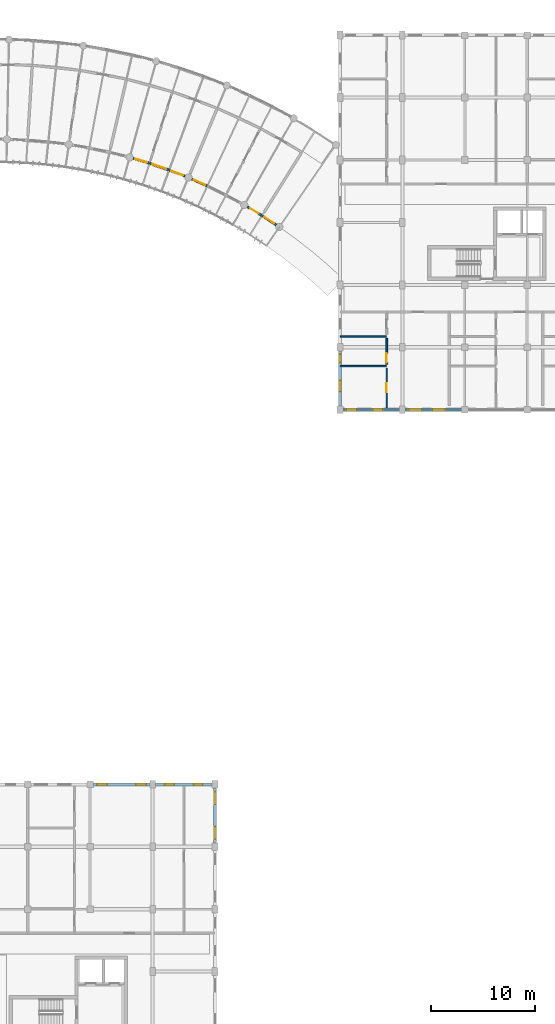
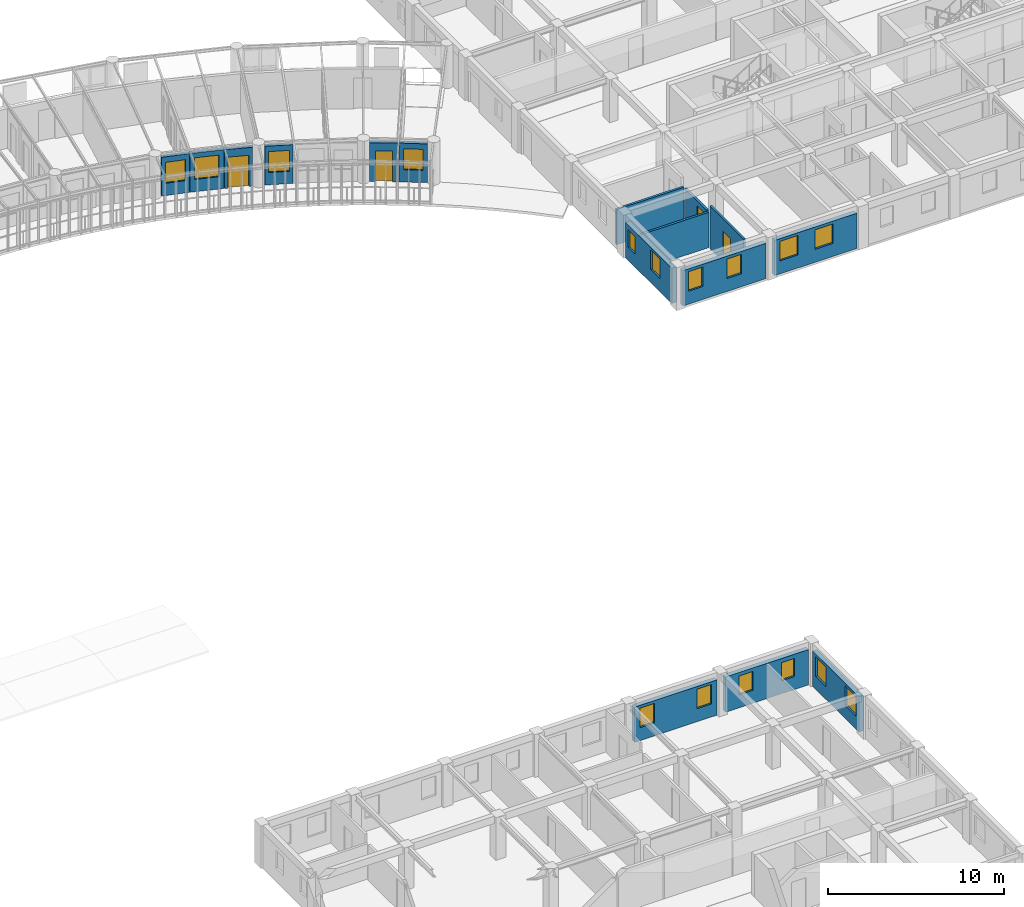
# One storey, part 76 of 100: 16 walls, 16 windows, 4 doors, 20 openings.
"""IFC4 building model written with IfcOpenShell, lengths in metres."""

import ifcopenshell
import ifcopenshell.guid

model = None  # the IFC model being written
_history = None  # IfcOwnerHistory: only IFC2X3 demands one
_inside = {}  # id of a spatial element -> (the spatial element, [elements in it])
_under = {}  # id of a project, library or spatial element -> (it, [spatial elements below it])
_declared = {}  # id of a project -> (the project, [libraries it declares])
_typed = {}  # id of a type object -> (the type object, [elements of that type])
_made_of = {}  # id of a material, layer set ... -> (it, [elements and type objects made of it])


def new_model(schema):
    """Start an empty IFC model of exactly this schema.

    Asked for "IFC4X3", IfcOpenShell would pick the latest addendum, in which some entities
    have other attributes; the version numbers below select the first issue.
    IFC2X3 requires an IfcOwnerHistory on every rooted entity: one is made here for all.
    """
    global model, _history
    if schema == "IFC4X3":
        model = ifcopenshell.file(schema_version=(4, 3, 0, 0))
    else:
        model = ifcopenshell.file(schema=schema)
    _inside.clear()
    _under.clear()
    _declared.clear()
    _typed.clear()
    _made_of.clear()
    _history = None
    if model.schema == "IFC2X3":
        org = make("IfcOrganization", Name="unknown")
        user = make(
            "IfcPersonAndOrganization",
            ThePerson=make("IfcPerson", FamilyName="unknown"),
            TheOrganization=org,
        )
        app = make(
            "IfcApplication",
            ApplicationDeveloper=org,
            Version="unknown",
            ApplicationFullName="unknown",
            ApplicationIdentifier="unknown",
        )
        _history = make(
            "IfcOwnerHistory",
            OwningUser=user,
            OwningApplication=app,
            ChangeAction="ADDED",
            CreationDate=0,
        )
    return model


def make(cls, **values):
    """One entity of the class cls with the attributes given. An attribute that is None is left unset."""
    return model.create_entity(
        cls, **{name: value for name, value in values.items() if value is not None}
    )


def rooted(cls, **values):
    """An entity with a GlobalId (a new one), such as an element, a storey or a relation."""
    return make(cls, GlobalId=ifcopenshell.guid.new(), OwnerHistory=_history, **values)


def si_unit(unit_type, name, prefix=None):
    """IfcSIUnit, for example si_unit("LENGTHUNIT", "METRE", prefix="MILLI")."""
    return make("IfcSIUnit", UnitType=unit_type, Prefix=prefix, Name=name)


def assignment(units):
    """IfcUnitAssignment: the units of a project."""
    return None if units is None else make("IfcUnitAssignment", Units=units)


def point(xyz):
    """IfcCartesianPoint."""
    return None if xyz is None else make("IfcCartesianPoint", Coordinates=xyz)


def direction(xyz):
    """IfcDirection."""
    return None if xyz is None else make("IfcDirection", DirectionRatios=xyz)


def frame(location, z_axis=None, x_axis=None):
    """IfcAxis2Placement3D, a coordinate frame: its origin and axes. An axis left out is left unset."""
    return make(
        "IfcAxis2Placement3D",
        Location=point(location),
        Axis=direction(z_axis),
        RefDirection=direction(x_axis),
    )


def frame_2d(location, x_axis=None):
    """IfcAxis2Placement2D, a coordinate frame in the plane: its origin and x axis."""
    return make(
        "IfcAxis2Placement2D", Location=point(location), RefDirection=direction(x_axis)
    )


def origin():
    """The frame at (0, 0, 0) with its axes left unset."""
    return frame((0.0, 0.0, 0.0))


def place(relative_to, where):
    """IfcLocalPlacement: puts the frame where relative to a parent placement (None: the world)."""
    return make(
        "IfcLocalPlacement", PlacementRelTo=relative_to, RelativePlacement=where
    )


def context(
    kind, dimensions, precision=None, world=None, true_north=None, identifier=None
):
    """IfcGeometricRepresentationContext, for example the 3D "Model" context."""
    return make(
        "IfcGeometricRepresentationContext",
        ContextIdentifier=identifier,
        ContextType=kind,
        CoordinateSpaceDimension=dimensions,
        Precision=precision,
        WorldCoordinateSystem=world,
        TrueNorth=true_north,
    )


def subcontext(parent, identifier, kind, view, scale=None):
    """IfcGeometricRepresentationSubContext, for example "Body" below "Model"."""
    return make(
        "IfcGeometricRepresentationSubContext",
        ContextIdentifier=identifier,
        ContextType=kind,
        ParentContext=parent,
        TargetScale=scale,
        TargetView=view,
    )


def project(units=None, contexts=None):
    """IfcProject with its units and contexts."""
    return rooted(
        "IfcProject",
        Name="project",
        RepresentationContexts=contexts,
        UnitsInContext=assignment(units),
    )


def spatial(cls, under=None, at=None, **own):
    """A site, building, storey or space (cls), placed at a placement, below another one or the project."""
    s = rooted(cls, ObjectPlacement=at, **own)
    if under is not None:
        _under.setdefault(under.id(), (under, []))[1].append(s)
    return s


def profile(cls, at=None, kind="AREA", **sizes):
    """A parametric profile (cls). Its sizes go by their IFC names, for example OverallWidth=200.0."""
    return make(cls, ProfileType=kind, Position=at, **sizes)


def rectangle(**sizes):
    """IfcRectangleProfileDef."""
    return profile("IfcRectangleProfileDef", **sizes)


def extrude(swept, where, along, depth):
    """IfcExtrudedAreaSolid: the profile swept, set in the frame where, extruded along a direction by depth."""
    return make(
        "IfcExtrudedAreaSolid",
        SweptArea=swept,
        Position=where,
        ExtrudedDirection=direction(along),
        Depth=depth,
    )


def shape(context_of_items, identifier, shape_type, items):
    """IfcShapeRepresentation: the items that make up one representation, for example the "Body"."""
    return make(
        "IfcShapeRepresentation",
        ContextOfItems=context_of_items,
        RepresentationIdentifier=identifier,
        RepresentationType=shape_type,
        Items=items,
    )


def material(Name=None, Category=None):
    """IfcMaterial."""
    return make("IfcMaterial", Name=Name, Category=Category)


def layer(
    of_material, thickness, ventilated=None, Name=None, Category=None, Priority=None
):
    """IfcMaterialLayer: one layer of a wall or slab, of a material (None: an air gap)."""
    return make(
        "IfcMaterialLayer",
        Material=of_material,
        LayerThickness=thickness,
        IsVentilated=ventilated,
        Name=Name,
        Category=Category,
        Priority=Priority,
    )


def layer_set(layers, Name=None):
    """IfcMaterialLayerSet."""
    return make("IfcMaterialLayerSet", MaterialLayers=layers, LayerSetName=Name)


def made_of(thing, what):
    """Note that an element or type object is made of a material, layer set ...; save() writes the relation."""
    if what is not None:
        _made_of.setdefault(what.id(), (what, []))[1].append(thing)
    return thing


def type_object(cls, material=None, **own):
    """A type object (cls), such as IfcWallType, which elements share."""
    return made_of(rooted(cls, **own), material)


def element(
    cls,
    number,
    at=None,
    inside=None,
    cuts=None,
    type_object=None,
    material=None,
    context=None,
    identifier="Body",
    shape_type=None,
    held_by="IfcProductDefinitionShape",
    body=None,
    shapes=None,
    **own,
):
    """One element of the class cls, such as IfcWall. Its Tag is "e" and its number.

    at: its placement. inside: the storey or other place that contains it. cuts: it is an
    opening in that element (IfcRelVoidsElement). A single representation is given by context,
    identifier, shape_type and body (its items); several are given by shapes. held_by: the class
    of the entity that holds the representations. save() writes the other relations.
    """
    e = rooted(cls, Tag="e%d" % number, ObjectPlacement=at, **own)
    if body is not None:
        shapes = [shape(context, identifier, shape_type, body)]
    if shapes is not None:
        e.Representation = make(held_by, Representations=shapes)
    if inside is not None:
        _inside.setdefault(inside.id(), (inside, []))[1].append(e)
    if cuts is not None:
        rooted(
            "IfcRelVoidsElement", RelatingBuildingElement=cuts, RelatedOpeningElement=e
        )
    if type_object is not None:
        _typed.setdefault(type_object.id(), (type_object, []))[1].append(e)
    return made_of(e, material)


def fill(opening, filler):
    """IfcRelFillsElement: the door or window that sits in an opening."""
    return rooted(
        "IfcRelFillsElement",
        RelatingOpeningElement=opening,
        RelatedBuildingElement=filler,
    )


def aggregate(whole, parts):
    """IfcRelAggregates: a whole, such as a stair, and the parts it consists of."""
    return rooted("IfcRelAggregates", RelatingObject=whole, RelatedObjects=parts)


def save(model, path):
    """Write the relations noted so far, then the file.

    IfcRelAggregates (storeys below a building ...), IfcRelContainedInSpatialStructure (elements
    in a storey), IfcRelDefinesByType, IfcRelAssociatesMaterial and IfcRelDeclares: one each for
    every whole, place, type object, material and project.
    """
    for whole, parts in _under.values():
        aggregate(whole, parts)
    for where, things in _inside.values():
        rooted(
            "IfcRelContainedInSpatialStructure",
            RelatedElements=things,
            RelatingStructure=where,
        )
    for kind, things in _typed.values():
        rooted("IfcRelDefinesByType", RelatedObjects=things, RelatingType=kind)
    for what, things in _made_of.values():
        rooted("IfcRelAssociatesMaterial", RelatedObjects=things, RelatingMaterial=what)
    for by, libraries in _declared.values():
        rooted("IfcRelDeclares", RelatingContext=by, RelatedDefinitions=libraries)
    model.write(path)


model = new_model("IFC4")

# Units and contexts
model_context = context("Model", 3, precision=1e-05, world=origin(), true_north=direction((0.0, 1.0)))
body_context = subcontext(model_context, "Body", "Model", "MODEL_VIEW")
ifc_project = project(units=[si_unit("LENGTHUNIT", "METRE"), si_unit("AREAUNIT", "SQUARE_METRE"), si_unit("VOLUMEUNIT", "CUBIC_METRE"), si_unit("PLANEANGLEUNIT", "RADIAN"), si_unit("MASSUNIT", "GRAM", prefix="KILO"), si_unit("POWERUNIT", "WATT"), si_unit("THERMODYNAMICTEMPERATUREUNIT", "KELVIN")], contexts=[model_context])

# Site, building, storey
site_placement = place(None, origin())
site = spatial("IfcSite", under=ifc_project, at=site_placement, CompositionType="ELEMENT")
building_placement = place(site_placement, origin())
building = spatial("IfcBuilding", under=site, at=building_placement, Name="Ruvembo Vaulted Housing Court", CompositionType="ELEMENT")
storey_placement = place(building_placement, frame((0.0, 0.0, 10.89990234375)))
storey = spatial("IfcBuildingStorey", under=building, at=storey_placement, Name="L03", CompositionType="ELEMENT", Elevation=10.89990234375)

# Wall, opening, window
ifc_material_1 = material(Name="Rendered Masonry 235", Category="masonry")
ifc_layer_1 = layer(ifc_material_1, 0.235107421875, Name="Rendered Masonry 235")
ifc_layer_set_1 = layer_set([ifc_layer_1], Name="Rendered Masonry 235")
wall_type_1 = type_object("IfcWallType", Name="WL-EXT-235", PredefinedType="STANDARD", material=ifc_layer_set_1)
wall_1_placement = place(storey_placement, frame((130.1298828125, 96.1630859375, 0.0), z_axis=(0.0, 0.0, 1.0), x_axis=(0.958078548486, -0.286505662999, 0.0)))
wall_1 = element("IfcWall", 1, at=wall_1_placement, inside=storey, type_object=wall_type_1, Name="Scoop SC3 L03 Concave Balcony Wall 21", PredefinedType="STANDARD", context=body_context, shape_type="SweptSolid", body=[
    extrude(rectangle(XDim=1.62255859375, YDim=0.235107421875, at=frame_2d((0.811279296875, 0.0))), origin(), (0.0, 0.0, 1.0), 2.68408203125),
])
opening_1_placement = place(wall_1_placement, frame((0.236083984375, 0.0, 0.85009765625)))
opening_1 = element("IfcOpeningElement", 2, at=opening_1_placement, cuts=wall_1, Name="Opening W11", PredefinedType="OPENING", context=body_context, shape_type="SweptSolid", body=[
    extrude(rectangle(XDim=1.14990234375, YDim=1.449951171875, at=frame_2d((0.574951171875, 0.72509765625))), frame((0.0, 0.12744140625, 0.0), z_axis=(0.0, -1.0, 0.0), x_axis=(1.0, 0.0, 0.0)), (0.0, 0.0, 1.0), 0.255126953125),
])
ifc_material_2 = material(Name="Double Solar-Control Glazing in Aluminium Frame", Category="aluminium")
window_type_1 = type_object("IfcWindowType", Name="WIN-1150x1450", PartitioningType="SINGLE_PANEL", PredefinedType="WINDOW", material=ifc_material_2)
window_1_placement = place(opening_1_placement, origin())
window_1 = element("IfcWindow", 3, at=window_1_placement, inside=storey, type_object=window_type_1, Name="Scoop SC3 L03 Concave Window 21", OverallHeight=1.449951171875, OverallWidth=1.14990234375, PartitioningType="SINGLE_PANEL", PredefinedType="WINDOW", context=body_context, shape_type="SweptSolid", body=[
    extrude(rectangle(XDim=1.14990234375, YDim=1.449951171875, at=frame_2d((0.574951171875, 0.72509765625))), frame((0.0, 0.030029296875, 0.0), z_axis=(0.0, -1.0, 0.0), x_axis=(1.0, 0.0, 0.0)), (0.0, 0.0, 1.0), 0.06005859375),
])
fill(opening_1, window_1)

wall_2_placement = place(storey_placement, frame((131.722412109375, 95.68603515625, 0.0), z_axis=(0.0, 0.0, 1.0), x_axis=(0.945368994877, -0.326002244662, 0.0)))
wall_2 = element("IfcWall", 4, at=wall_2_placement, inside=storey, type_object=wall_type_1, Name="Scoop SC3 L03 Concave Balcony Wall 22", PredefinedType="STANDARD", context=body_context, shape_type="SweptSolid", body=[
    extrude(rectangle(XDim=1.952392578125, YDim=0.235107421875, at=frame_2d((0.97607421875, 0.0))), origin(), (0.0, 0.0, 1.0), 2.68408203125),
])
opening_2_placement = place(wall_2_placement, frame((0.276123046875, 0.0, 0.85009765625)))
opening_2 = element("IfcOpeningElement", 5, at=opening_2_placement, cuts=wall_2, Name="Opening W17", PredefinedType="OPENING", context=body_context, shape_type="SweptSolid", body=[
    extrude(rectangle(XDim=1.39990234375, YDim=1.5, at=frame_2d((0.699951171875, 0.75))), frame((0.0, 0.12744140625, 0.0), z_axis=(0.0, -1.0, 0.0), x_axis=(1.0, 0.0, 0.0)), (0.0, 0.0, 1.0), 0.255126953125),
])
window_type_2 = type_object("IfcWindowType", Name="WIN-1400x1500", PartitioningType="SINGLE_PANEL", PredefinedType="WINDOW", material=ifc_material_2)
window_2_placement = place(opening_2_placement, origin())
window_2 = element("IfcWindow", 6, at=window_2_placement, inside=storey, type_object=window_type_2, Name="Scoop SC3 L03 Concave Window 22", OverallHeight=1.5, OverallWidth=1.39990234375, PartitioningType="SINGLE_PANEL", PredefinedType="WINDOW", context=body_context, shape_type="SweptSolid", body=[
    extrude(rectangle(XDim=1.39990234375, YDim=1.5, at=frame_2d((0.699951171875, 0.75))), frame((0.0, 0.030029296875, 0.0), z_axis=(0.0, -1.0, 0.0), x_axis=(1.0, 0.0, 0.0)), (0.0, 0.0, 1.0), 0.06005859375),
])
fill(opening_2, window_2)

# Wall, opening, door
wall_3_placement = place(storey_placement, frame((133.605712890625, 95.03564453125, 0.0), z_axis=(0.0, 0.0, 1.0), x_axis=(0.931038371221, -0.364921294684, 0.0)))
wall_3 = element("IfcWall", 7, at=wall_3_placement, inside=storey, type_object=wall_type_1, Name="Scoop SC3 L03 Concave Balcony Wall 23", PredefinedType="STANDARD", context=body_context, shape_type="SweptSolid", body=[
    extrude(rectangle(XDim=1.622314453125, YDim=0.235107421875, at=frame_2d((0.81103515625, 0.0))), origin(), (0.0, 0.0, 1.0), 2.68408203125),
])
opening_3_placement = place(wall_3_placement, frame((0.211181640625, 0.0, 0.0)))
opening_3 = element("IfcOpeningElement", 8, at=opening_3_placement, cuts=wall_3, Name="Opening BD2", PredefinedType="OPENING", context=body_context, shape_type="SweptSolid", body=[
    extrude(rectangle(XDim=1.199951171875, YDim=2.14990234375, at=frame_2d((0.60009765625, 1.074951171875))), frame((0.0, 0.12744140625, 0.0), z_axis=(0.0, -1.0, 0.0), x_axis=(1.0, 0.0, 0.0)), (0.0, 0.0, 1.0), 0.255126953125),
])
ifc_material_3 = material(Name="Thermally Broken Glazed Aluminium", Category="aluminium")
door_type_1 = type_object("IfcDoorType", Name="DR-BAL-1200x2150", OperationType="NOTDEFINED", PredefinedType="DOOR", material=ifc_material_3)
door_1_placement = place(opening_3_placement, frame((1.199951171875, 0.0, 0.0), z_axis=(0.0, 0.0, 1.0), x_axis=(-1.0, 0.0, 0.0)))
door_1 = element("IfcDoor", 9, at=door_1_placement, inside=storey, type_object=door_type_1, Name="Scoop SC3 L03 Balcony Door 23", OperationType="SINGLE_SWING_RIGHT", OverallHeight=2.14990234375, OverallWidth=1.199951171875, PredefinedType="DOOR", context=body_context, shape_type="SweptSolid", body=[
    extrude(rectangle(XDim=1.199951171875, YDim=2.14990234375, at=frame_2d((0.60009765625, 1.074951171875))), frame((0.0, 0.02490234375, 0.0), z_axis=(0.0, -1.0, 0.0), x_axis=(1.0, 0.0, 0.0)), (0.0, 0.0, 1.0), 0.050048828125),
])
fill(opening_3, door_1)

# Wall, opening, window
wall_4_placement = place(storey_placement, frame((135.76220703125, 94.1748046875, 0.0), z_axis=(0.0, 0.0, 1.0), x_axis=(0.915073009016, -0.403288219727, 0.0)))
wall_4 = element("IfcWall", 10, at=wall_4_placement, inside=storey, type_object=wall_type_1, Name="Scoop SC3 L03 Concave Balcony Wall 24", PredefinedType="STANDARD", context=body_context, shape_type="SweptSolid", body=[
    extrude(rectangle(XDim=1.622314453125, YDim=0.235107421875, at=frame_2d((0.81103515625, 0.0))), origin(), (0.0, 0.0, 1.0), 2.68408203125),
])
opening_4_placement = place(wall_4_placement, frame((0.211181640625, 0.0, 0.85009765625)))
opening_4 = element("IfcOpeningElement", 11, at=opening_4_placement, cuts=wall_4, Name="Opening W13", PredefinedType="OPENING", context=body_context, shape_type="SweptSolid", body=[
    extrude(rectangle(XDim=1.199951171875, YDim=1.449951171875, at=frame_2d((0.60009765625, 0.72509765625))), frame((0.0, 0.12744140625, 0.0), z_axis=(0.0, -1.0, 0.0), x_axis=(1.0, 0.0, 0.0)), (0.0, 0.0, 1.0), 0.255126953125),
])
window_type_3 = type_object("IfcWindowType", Name="WIN-1200x1450", PartitioningType="SINGLE_PANEL", PredefinedType="WINDOW", material=ifc_material_2)
window_3_placement = place(opening_4_placement, origin())
window_3 = element("IfcWindow", 12, at=window_3_placement, inside=storey, type_object=window_type_3, Name="Scoop SC3 L03 Concave Window 24", OverallHeight=1.449951171875, OverallWidth=1.199951171875, PartitioningType="SINGLE_PANEL", PredefinedType="WINDOW", context=body_context, shape_type="SweptSolid", body=[
    extrude(rectangle(XDim=1.199951171875, YDim=1.449951171875, at=frame_2d((0.60009765625, 0.72509765625))), frame((0.0, 0.030029296875, 0.0), z_axis=(0.0, -1.0, 0.0), x_axis=(1.0, 0.0, 0.0)), (0.0, 0.0, 1.0), 0.06005859375),
])
fill(opening_4, window_3)

# Wall, opening, door
wall_5_placement = place(storey_placement, frame((141.10400390625, 91.502197265625, 0.0), z_axis=(0.0, 0.0, 1.0), x_axis=(0.85782472272, -0.513942355805, 0.0)))
wall_5 = element("IfcWall", 13, at=wall_5_placement, inside=storey, type_object=wall_type_1, Name="Scoop SC3 L03 Concave Balcony Wall 27", PredefinedType="STANDARD", context=body_context, shape_type="SweptSolid", body=[
    extrude(rectangle(XDim=1.622314453125, YDim=0.235107421875, at=frame_2d((0.81103515625, 0.0))), origin(), (0.0, 0.0, 1.0), 2.68408203125),
])
opening_5_placement = place(wall_5_placement, frame((0.336181640625, 0.0, 0.0)))
opening_5 = element("IfcOpeningElement", 14, at=opening_5_placement, cuts=wall_5, Name="Opening BD0", PredefinedType="OPENING", context=body_context, shape_type="SweptSolid", body=[
    extrude(rectangle(XDim=0.949951171875, YDim=2.1201171875, at=frame_2d((0.47509765625, 1.06005859375))), frame((0.0, 0.12744140625, 0.0), z_axis=(0.0, -1.0, 0.0), x_axis=(1.0, 0.0, 0.0)), (0.0, 0.0, 1.0), 0.255126953125),
])
door_type_2 = type_object("IfcDoorType", Name="DR-BAL-0950x2120", OperationType="NOTDEFINED", PredefinedType="DOOR", material=ifc_material_3)
door_2_placement = place(opening_5_placement, frame((0.949951171875, 0.0, 0.0), z_axis=(0.0, 0.0, 1.0), x_axis=(-1.0, 0.0, 0.0)))
door_2 = element("IfcDoor", 15, at=door_2_placement, inside=storey, type_object=door_type_2, Name="Scoop SC3 L03 Balcony Door 27", OperationType="SINGLE_SWING_LEFT", OverallHeight=2.1201171875, OverallWidth=0.949951171875, PredefinedType="DOOR", context=body_context, shape_type="SweptSolid", body=[
    extrude(rectangle(XDim=0.949951171875, YDim=2.1201171875, at=frame_2d((0.47509765625, 1.06005859375))), frame((0.0, 0.02490234375, 0.0), z_axis=(0.0, -1.0, 0.0), x_axis=(1.0, 0.0, 0.0)), (0.0, 0.0, 1.0), 0.050048828125),
])
fill(opening_5, door_2)

# Wall, opening, window
wall_6_placement = place(storey_placement, frame((142.529541015625, 90.647216796875, 0.0), z_axis=(0.0, 0.0, 1.0), x_axis=(0.835873156341, -0.548922641644, 0.0)))
wall_6 = element("IfcWall", 16, at=wall_6_placement, inside=storey, type_object=wall_type_1, Name="Scoop SC3 L03 Concave Balcony Wall 28", PredefinedType="STANDARD", context=body_context, shape_type="SweptSolid", body=[
    extrude(rectangle(XDim=1.62255859375, YDim=0.235107421875, at=frame_2d((0.811279296875, 0.0))), origin(), (0.0, 0.0, 1.0), 2.68408203125),
])
opening_6_placement = place(wall_6_placement, frame((0.26123046875, 0.0, 0.85009765625)))
opening_6 = element("IfcOpeningElement", 17, at=opening_6_placement, cuts=wall_6, Name="Opening W10", PredefinedType="OPENING", context=body_context, shape_type="SweptSolid", body=[
    extrude(rectangle(XDim=1.10009765625, YDim=1.449951171875, at=frame_2d((0.550048828125, 0.72509765625))), frame((0.0, 0.12744140625, 0.0), z_axis=(0.0, -1.0, 0.0), x_axis=(1.0, 0.0, 0.0)), (0.0, 0.0, 1.0), 0.255126953125),
])
window_type_4 = type_object("IfcWindowType", Name="WIN-1100x1450", PartitioningType="SINGLE_PANEL", PredefinedType="WINDOW", material=ifc_material_2)
window_4_placement = place(opening_6_placement, origin())
window_4 = element("IfcWindow", 18, at=window_4_placement, inside=storey, type_object=window_type_4, Name="Scoop SC3 L03 Concave Window 28", OverallHeight=1.449951171875, OverallWidth=1.10009765625, PartitioningType="SINGLE_PANEL", PredefinedType="WINDOW", context=body_context, shape_type="SweptSolid", body=[
    extrude(rectangle(XDim=1.10009765625, YDim=1.449951171875, at=frame_2d((0.550048828125, 0.72509765625))), frame((0.0, 0.030029296875, 0.0), z_axis=(0.0, -1.0, 0.0), x_axis=(1.0, 0.0, 0.0)), (0.0, 0.0, 1.0), 0.06005859375),
])
fill(opening_6, window_4)

# Wall, openings, windows
ifc_material_4 = material(Name="Rendered Masonry 300", Category="masonry")
ifc_layer_2 = layer(ifc_material_4, 0.300048828125, Name="Rendered Masonry 300")
ifc_layer_set_2 = layer_set([ifc_layer_2], Name="Rendered Masonry 300")
wall_type_2 = type_object("IfcWallType", Name="WL-EXT-300", PredefinedType="STANDARD", material=ifc_layer_set_2)
wall_7_placement = place(storey_placement, frame((138.0, 30.375, 0.0), z_axis=(0.0, 0.0, 1.0), x_axis=(0.0, 1.0, 0.0)))
wall_7 = element("IfcWall", 19, at=wall_7_placement, inside=storey, type_object=wall_type_2, Name="Block C L03 Exterior Wall EAST #6", PredefinedType="STANDARD", context=body_context, shape_type="SweptSolid", body=[
    extrude(rectangle(XDim=5.25, YDim=0.300048828125, at=frame_2d((2.625, 0.0))), origin(), (0.0, 0.0, 1.0), 2.442138671875),
])
opening_7_placement = place(wall_7_placement, frame((0.35009765625, 0.0, 0.89990234375)))
opening_7 = element("IfcOpeningElement", 20, at=opening_7_placement, cuts=wall_7, Name="Opening W12", PredefinedType="OPENING", context=body_context, shape_type="SweptSolid", body=[
    extrude(rectangle(XDim=1.199951171875, YDim=1.35009765625, at=frame_2d((0.60009765625, 0.675048828125))), frame((0.0, 0.159912109375, 0.0), z_axis=(0.0, -1.0, 0.0), x_axis=(1.0, 0.0, 0.0)), (0.0, 0.0, 1.0), 0.320068359375),
])
opening_8_placement = place(wall_7_placement, frame((3.699951171875, 0.0, 0.89990234375)))
opening_8 = element("IfcOpeningElement", 21, at=opening_8_placement, cuts=wall_7, Name="Opening W12", PredefinedType="OPENING", context=body_context, shape_type="SweptSolid", body=[
    extrude(rectangle(XDim=1.199951171875, YDim=1.35009765625, at=frame_2d((0.60009765625, 0.675048828125))), frame((0.0, 0.159912109375, 0.0), z_axis=(0.0, -1.0, 0.0), x_axis=(1.0, 0.0, 0.0)), (0.0, 0.0, 1.0), 0.320068359375),
])
window_type_5 = type_object("IfcWindowType", Name="WIN-1200x1350", PartitioningType="SINGLE_PANEL", PredefinedType="WINDOW", material=ifc_material_2)
window_5_placement = place(opening_7_placement, origin())
window_5 = element("IfcWindow", 22, at=window_5_placement, inside=storey, type_object=window_type_5, Name="Block C L03 Window #1217", OverallHeight=1.35009765625, OverallWidth=1.199951171875, PartitioningType="SINGLE_PANEL", PredefinedType="WINDOW", context=body_context, shape_type="SweptSolid", body=[
    extrude(rectangle(XDim=1.199951171875, YDim=1.35009765625, at=frame_2d((0.60009765625, 0.675048828125))), frame((0.0, 0.030029296875, 0.0), z_axis=(0.0, -1.0, 0.0), x_axis=(1.0, 0.0, 0.0)), (0.0, 0.0, 1.0), 0.06005859375),
])
fill(opening_7, window_5)
window_6_placement = place(opening_8_placement, origin())
window_6 = element("IfcWindow", 23, at=window_6_placement, inside=storey, type_object=window_type_5, Name="Block C L03 Window #1218", OverallHeight=1.35009765625, OverallWidth=1.199951171875, PartitioningType="SINGLE_PANEL", PredefinedType="WINDOW", context=body_context, shape_type="SweptSolid", body=[
    extrude(rectangle(XDim=1.199951171875, YDim=1.35009765625, at=frame_2d((0.60009765625, 0.675048828125))), frame((0.0, 0.030029296875, 0.0), z_axis=(0.0, -1.0, 0.0), x_axis=(1.0, 0.0, 0.0)), (0.0, 0.0, 1.0), 0.06005859375),
])
fill(opening_8, window_6)

wall_8_placement = place(storey_placement, frame((137.72509765625, 36.0, 0.0), z_axis=(0.0, 0.0, 1.0), x_axis=(-1.0, 0.0, 0.0)))
wall_8 = element("IfcWall", 24, at=wall_8_placement, inside=storey, type_object=wall_type_2, Name="Block C L03 Exterior Wall COURTYARD #1", PredefinedType="STANDARD", context=body_context, shape_type="SweptSolid", body=[
    extrude(rectangle(XDim=5.4501953125, YDim=0.300048828125, at=frame_2d((2.72509765625, 0.0))), origin(), (0.0, 0.0, 1.0), 2.442138671875),
])
opening_9_placement = place(wall_8_placement, frame((0.91748046875, 0.0, 0.89990234375)))
opening_9 = element("IfcOpeningElement", 25, at=opening_9_placement, cuts=wall_8, Name="Opening W03", PredefinedType="OPENING", context=body_context, shape_type="SweptSolid", body=[
    extrude(rectangle(XDim=0.85009765625, YDim=1.25, at=frame_2d((0.425048828125, 0.625))), frame((0.0, 0.159912109375, 0.0), z_axis=(0.0, -1.0, 0.0), x_axis=(1.0, 0.0, 0.0)), (0.0, 0.0, 1.0), 0.320068359375),
])
opening_10_placement = place(wall_8_placement, frame((3.657470703125, 0.0, 0.89990234375)))
opening_10 = element("IfcOpeningElement", 26, at=opening_10_placement, cuts=wall_8, Name="Opening W04", PredefinedType="OPENING", context=body_context, shape_type="SweptSolid", body=[
    extrude(rectangle(XDim=0.89990234375, YDim=1.300048828125, at=frame_2d((0.449951171875, 0.64990234375))), frame((0.0, 0.159912109375, 0.0), z_axis=(0.0, -1.0, 0.0), x_axis=(1.0, 0.0, 0.0)), (0.0, 0.0, 1.0), 0.320068359375),
])
window_type_6 = type_object("IfcWindowType", Name="WIN-0850x1250", PartitioningType="SINGLE_PANEL", PredefinedType="WINDOW", material=ifc_material_2)
window_7_placement = place(opening_9_placement, origin())
window_7 = element("IfcWindow", 27, at=window_7_placement, inside=storey, type_object=window_type_6, Name="Block C L03 Window #1219", OverallHeight=1.25, OverallWidth=0.85009765625, PartitioningType="SINGLE_PANEL", PredefinedType="WINDOW", context=body_context, shape_type="SweptSolid", body=[
    extrude(rectangle(XDim=0.85009765625, YDim=1.25, at=frame_2d((0.425048828125, 0.625))), frame((0.0, 0.030029296875, 0.0), z_axis=(0.0, -1.0, 0.0), x_axis=(1.0, 0.0, 0.0)), (0.0, 0.0, 1.0), 0.06005859375),
])
fill(opening_9, window_7)
window_type_7 = type_object("IfcWindowType", Name="WIN-0900x1300", PartitioningType="SINGLE_PANEL", PredefinedType="WINDOW", material=ifc_material_2)
window_8_placement = place(opening_10_placement, origin())
window_8 = element("IfcWindow", 28, at=window_8_placement, inside=storey, type_object=window_type_7, Name="Block C L03 Window #1220", OverallHeight=1.300048828125, OverallWidth=0.89990234375, PartitioningType="SINGLE_PANEL", PredefinedType="WINDOW", context=body_context, shape_type="SweptSolid", body=[
    extrude(rectangle(XDim=0.89990234375, YDim=1.300048828125, at=frame_2d((0.449951171875, 0.64990234375))), frame((0.0, 0.030029296875, 0.0), z_axis=(0.0, -1.0, 0.0), x_axis=(1.0, 0.0, 0.0)), (0.0, 0.0, 1.0), 0.06005859375),
])
fill(opening_10, window_8)

wall_9_placement = place(storey_placement, frame((131.72509765625, 36.0, 0.0), z_axis=(0.0, 0.0, 1.0), x_axis=(-1.0, 0.0, 0.0)))
wall_9 = element("IfcWall", 29, at=wall_9_placement, inside=storey, type_object=wall_type_2, Name="Block C L03 Exterior Wall COURTYARD #2", PredefinedType="STANDARD", context=body_context, shape_type="SweptSolid", body=[
    extrude(rectangle(XDim=5.400146484375, YDim=0.300048828125, at=frame_2d((2.7001953125, 0.0))), origin(), (0.0, 0.0, 1.0), 2.442138671875),
])
opening_11_placement = place(wall_9_placement, frame((0.35009765625, 0.0, 0.89990234375)))
opening_11 = element("IfcOpeningElement", 30, at=opening_11_placement, cuts=wall_9, Name="Opening W07", PredefinedType="OPENING", context=body_context, shape_type="SweptSolid", body=[
    extrude(rectangle(XDim=0.949951171875, YDim=1.35009765625, at=frame_2d((0.47509765625, 0.675048828125))), frame((0.0, 0.159912109375, 0.0), z_axis=(0.0, -1.0, 0.0), x_axis=(1.0, 0.0, 0.0)), (0.0, 0.0, 1.0), 0.320068359375),
])
opening_12_placement = place(wall_9_placement, frame((4.10009765625, 0.0, 0.89990234375)))
opening_12 = element("IfcOpeningElement", 31, at=opening_12_placement, cuts=wall_9, Name="Opening W07", PredefinedType="OPENING", context=body_context, shape_type="SweptSolid", body=[
    extrude(rectangle(XDim=0.949951171875, YDim=1.35009765625, at=frame_2d((0.47509765625, 0.675048828125))), frame((0.0, 0.159912109375, 0.0), z_axis=(0.0, -1.0, 0.0), x_axis=(1.0, 0.0, 0.0)), (0.0, 0.0, 1.0), 0.320068359375),
])
window_type_8 = type_object("IfcWindowType", Name="WIN-0950x1350", PartitioningType="SINGLE_PANEL", PredefinedType="WINDOW", material=ifc_material_2)
window_9_placement = place(opening_11_placement, origin())
window_9 = element("IfcWindow", 32, at=window_9_placement, inside=storey, type_object=window_type_8, Name="Block C L03 Window #1221", OverallHeight=1.35009765625, OverallWidth=0.949951171875, PartitioningType="SINGLE_PANEL", PredefinedType="WINDOW", context=body_context, shape_type="SweptSolid", body=[
    extrude(rectangle(XDim=0.949951171875, YDim=1.35009765625, at=frame_2d((0.47509765625, 0.675048828125))), frame((0.0, 0.030029296875, 0.0), z_axis=(0.0, -1.0, 0.0), x_axis=(1.0, 0.0, 0.0)), (0.0, 0.0, 1.0), 0.06005859375),
])
fill(opening_11, window_9)
window_10_placement = place(opening_12_placement, origin())
window_10 = element("IfcWindow", 33, at=window_10_placement, inside=storey, type_object=window_type_8, Name="Block C L03 Window #1222", OverallHeight=1.35009765625, OverallWidth=0.949951171875, PartitioningType="SINGLE_PANEL", PredefinedType="WINDOW", context=body_context, shape_type="SweptSolid", body=[
    extrude(rectangle(XDim=0.949951171875, YDim=1.35009765625, at=frame_2d((0.47509765625, 0.675048828125))), frame((0.0, 0.030029296875, 0.0), z_axis=(0.0, -1.0, 0.0), x_axis=(1.0, 0.0, 0.0)), (0.0, 0.0, 1.0), 0.06005859375),
])
fill(opening_12, window_10)

wall_10_placement = place(storey_placement, frame((150.27490234375, 72.0, 0.0), z_axis=(0.0, 0.0, 1.0), x_axis=(1.0, 0.0, 0.0)))
wall_10 = element("IfcWall", 34, at=wall_10_placement, inside=storey, type_object=wall_type_2, Name="Block D L03 Exterior Wall COURTYARD #1", PredefinedType="STANDARD", context=body_context, shape_type="SweptSolid", body=[
    extrude(rectangle(XDim=5.4501953125, YDim=0.300048828125, at=frame_2d((2.72509765625, 0.0))), origin(), (0.0, 0.0, 1.0), 2.442138671875),
])
opening_13_placement = place(wall_10_placement, frame((0.35009765625, 0.0, 0.89990234375)))
opening_13 = element("IfcOpeningElement", 35, at=opening_13_placement, cuts=wall_10, Name="Opening W07", PredefinedType="OPENING", context=body_context, shape_type="SweptSolid", body=[
    extrude(rectangle(XDim=0.949951171875, YDim=1.35009765625, at=frame_2d((0.47509765625, 0.675048828125))), frame((0.0, 0.159912109375, 0.0), z_axis=(0.0, -1.0, 0.0), x_axis=(1.0, 0.0, 0.0)), (0.0, 0.0, 1.0), 0.320068359375),
])
opening_14_placement = place(wall_10_placement, frame((2.885009765625, 0.0, 0.89990234375)))
opening_14 = element("IfcOpeningElement", 36, at=opening_14_placement, cuts=wall_10, Name="Opening W07", PredefinedType="OPENING", context=body_context, shape_type="SweptSolid", body=[
    extrude(rectangle(XDim=0.949951171875, YDim=1.35009765625, at=frame_2d((0.47509765625, 0.675048828125))), frame((0.0, 0.159912109375, 0.0), z_axis=(0.0, -1.0, 0.0), x_axis=(1.0, 0.0, 0.0)), (0.0, 0.0, 1.0), 0.320068359375),
])
window_11_placement = place(opening_13_placement, origin())
window_11 = element("IfcWindow", 37, at=window_11_placement, inside=storey, type_object=window_type_8, Name="Block D L03 Window #1575", OverallHeight=1.35009765625, OverallWidth=0.949951171875, PartitioningType="SINGLE_PANEL", PredefinedType="WINDOW", context=body_context, shape_type="SweptSolid", body=[
    extrude(rectangle(XDim=0.949951171875, YDim=1.35009765625, at=frame_2d((0.47509765625, 0.675048828125))), frame((0.0, 0.030029296875, 0.0), z_axis=(0.0, -1.0, 0.0), x_axis=(1.0, 0.0, 0.0)), (0.0, 0.0, 1.0), 0.06005859375),
])
fill(opening_13, window_11)
window_12_placement = place(opening_14_placement, origin())
window_12 = element("IfcWindow", 38, at=window_12_placement, inside=storey, type_object=window_type_8, Name="Block D L03 Window #1576", OverallHeight=1.35009765625, OverallWidth=0.949951171875, PartitioningType="SINGLE_PANEL", PredefinedType="WINDOW", context=body_context, shape_type="SweptSolid", body=[
    extrude(rectangle(XDim=0.949951171875, YDim=1.35009765625, at=frame_2d((0.47509765625, 0.675048828125))), frame((0.0, 0.030029296875, 0.0), z_axis=(0.0, -1.0, 0.0), x_axis=(1.0, 0.0, 0.0)), (0.0, 0.0, 1.0), 0.06005859375),
])
fill(opening_14, window_12)

wall_11_placement = place(storey_placement, frame((156.27490234375, 72.0, 0.0), z_axis=(0.0, 0.0, 1.0), x_axis=(1.0, 0.0, 0.0)))
wall_11 = element("IfcWall", 39, at=wall_11_placement, inside=storey, type_object=wall_type_2, Name="Block D L03 Exterior Wall COURTYARD #2", PredefinedType="STANDARD", context=body_context, shape_type="SweptSolid", body=[
    extrude(rectangle(XDim=5.400146484375, YDim=0.300048828125, at=frame_2d((2.7001953125, 0.0))), origin(), (0.0, 0.0, 1.0), 2.442138671875),
])
opening_15_placement = place(wall_11_placement, frame((0.35009765625, 0.0, 0.89990234375)))
opening_15 = element("IfcOpeningElement", 40, at=opening_15_placement, cuts=wall_11, Name="Opening W12", PredefinedType="OPENING", context=body_context, shape_type="SweptSolid", body=[
    extrude(rectangle(XDim=1.199951171875, YDim=1.35009765625, at=frame_2d((0.60009765625, 0.675048828125))), frame((0.0, 0.159912109375, 0.0), z_axis=(0.0, -1.0, 0.0), x_axis=(1.0, 0.0, 0.0)), (0.0, 0.0, 1.0), 0.320068359375),
])
opening_16_placement = place(wall_11_placement, frame((2.635009765625, 0.0, 0.89990234375)))
opening_16 = element("IfcOpeningElement", 41, at=opening_16_placement, cuts=wall_11, Name="Opening W12", PredefinedType="OPENING", context=body_context, shape_type="SweptSolid", body=[
    extrude(rectangle(XDim=1.199951171875, YDim=1.35009765625, at=frame_2d((0.60009765625, 0.675048828125))), frame((0.0, 0.159912109375, 0.0), z_axis=(0.0, -1.0, 0.0), x_axis=(1.0, 0.0, 0.0)), (0.0, 0.0, 1.0), 0.320068359375),
])
window_13_placement = place(opening_15_placement, origin())
window_13 = element("IfcWindow", 42, at=window_13_placement, inside=storey, type_object=window_type_5, Name="Block D L03 Window #1577", OverallHeight=1.35009765625, OverallWidth=1.199951171875, PartitioningType="SINGLE_PANEL", PredefinedType="WINDOW", context=body_context, shape_type="SweptSolid", body=[
    extrude(rectangle(XDim=1.199951171875, YDim=1.35009765625, at=frame_2d((0.60009765625, 0.675048828125))), frame((0.0, 0.030029296875, 0.0), z_axis=(0.0, -1.0, 0.0), x_axis=(1.0, 0.0, 0.0)), (0.0, 0.0, 1.0), 0.06005859375),
])
fill(opening_15, window_13)
window_14_placement = place(opening_16_placement, origin())
window_14 = element("IfcWindow", 43, at=window_14_placement, inside=storey, type_object=window_type_5, Name="Block D L03 Window #1578", OverallHeight=1.35009765625, OverallWidth=1.199951171875, PartitioningType="SINGLE_PANEL", PredefinedType="WINDOW", context=body_context, shape_type="SweptSolid", body=[
    extrude(rectangle(XDim=1.199951171875, YDim=1.35009765625, at=frame_2d((0.60009765625, 0.675048828125))), frame((0.0, 0.030029296875, 0.0), z_axis=(0.0, -1.0, 0.0), x_axis=(1.0, 0.0, 0.0)), (0.0, 0.0, 1.0), 0.06005859375),
])
fill(opening_16, window_14)

wall_12_placement = place(storey_placement, frame((150.0, 77.625, 0.0), z_axis=(0.0, 0.0, 1.0), x_axis=(0.0, -1.0, 0.0)))
wall_12 = element("IfcWall", 44, at=wall_12_placement, inside=storey, type_object=wall_type_2, Name="Block D L03 Exterior Wall WEST #6", PredefinedType="STANDARD", context=body_context, shape_type="SweptSolid", body=[
    extrude(rectangle(XDim=5.25, YDim=0.300048828125, at=frame_2d((2.625, 0.0))), origin(), (0.0, 0.0, 1.0), 2.442138671875),
])
opening_17_placement = place(wall_12_placement, frame((0.29248046875, 0.0, 0.89990234375)))
opening_17 = element("IfcOpeningElement", 45, at=opening_17_placement, cuts=wall_12, Name="Opening W02", PredefinedType="OPENING", context=body_context, shape_type="SweptSolid", body=[
    extrude(rectangle(XDim=0.800048828125, YDim=1.199951171875, at=frame_2d((0.39990234375, 0.60009765625))), frame((0.0, 0.159912109375, 0.0), z_axis=(0.0, -1.0, 0.0), x_axis=(1.0, 0.0, 0.0)), (0.0, 0.0, 1.0), 0.320068359375),
])
opening_18_placement = place(wall_12_placement, frame((2.83251953125, 0.0, 0.89990234375)))
opening_18 = element("IfcOpeningElement", 46, at=opening_18_placement, cuts=wall_12, Name="Opening W09", PredefinedType="OPENING", context=body_context, shape_type="SweptSolid", body=[
    extrude(rectangle(XDim=1.050048828125, YDim=1.35009765625, at=frame_2d((0.52490234375, 0.675048828125))), frame((0.0, 0.159912109375, 0.0), z_axis=(0.0, -1.0, 0.0), x_axis=(1.0, 0.0, 0.0)), (0.0, 0.0, 1.0), 0.320068359375),
])
window_type_9 = type_object("IfcWindowType", Name="WIN-0800x1200", PartitioningType="SINGLE_PANEL", PredefinedType="WINDOW", material=ifc_material_2)
window_15_placement = place(opening_17_placement, origin())
window_15 = element("IfcWindow", 47, at=window_15_placement, inside=storey, type_object=window_type_9, Name="Block D L03 Window #1617", OverallHeight=1.199951171875, OverallWidth=0.800048828125, PartitioningType="SINGLE_PANEL", PredefinedType="WINDOW", context=body_context, shape_type="SweptSolid", body=[
    extrude(rectangle(XDim=0.800048828125, YDim=1.199951171875, at=frame_2d((0.39990234375, 0.60009765625))), frame((0.0, 0.030029296875, 0.0), z_axis=(0.0, -1.0, 0.0), x_axis=(1.0, 0.0, 0.0)), (0.0, 0.0, 1.0), 0.06005859375),
])
fill(opening_17, window_15)
window_type_10 = type_object("IfcWindowType", Name="WIN-1050x1350", PartitioningType="SINGLE_PANEL", PredefinedType="WINDOW", material=ifc_material_2)
window_16_placement = place(opening_18_placement, origin())
window_16 = element("IfcWindow", 48, at=window_16_placement, inside=storey, type_object=window_type_10, Name="Block D L03 Window #1618", OverallHeight=1.35009765625, OverallWidth=1.050048828125, PartitioningType="SINGLE_PANEL", PredefinedType="WINDOW", context=body_context, shape_type="SweptSolid", body=[
    extrude(rectangle(XDim=1.050048828125, YDim=1.35009765625, at=frame_2d((0.52490234375, 0.675048828125))), frame((0.0, 0.030029296875, 0.0), z_axis=(0.0, -1.0, 0.0), x_axis=(1.0, 0.0, 0.0)), (0.0, 0.0, 1.0), 0.06005859375),
])
fill(opening_18, window_16)

# Wall, opening, door
ifc_material_5 = material(Name="Plasterboard Stud Partition 125", Category="gypsum")
ifc_layer_3 = layer(ifc_material_5, 0.125, Name="Plasterboard Stud Partition 125")
ifc_layer_set_3 = layer_set([ifc_layer_3], Name="Plasterboard Stud Partition 125")
wall_type_3 = type_object("IfcWallType", Name="WL-PART-125", PredefinedType="PARTITIONING", material=ifc_layer_set_3)
wall_13_placement = place(storey_placement, frame((154.5, 72.18994140625, 0.0), z_axis=(0.0, 0.0, 1.0), x_axis=(0.0, 1.0, 0.0)))
wall_13 = element("IfcWall", 49, at=wall_13_placement, inside=storey, type_object=wall_type_3, Name="L03 Flat D-L03-S1 Bedroom 1 WL-INT-L03-00928", PredefinedType="PARTITIONING", context=body_context, shape_type="SweptSolid", body=[
    extrude(rectangle(XDim=3.820068359375, YDim=0.125, at=frame_2d((1.91015625, 0.0))), origin(), (0.0, 0.0, 1.0), 2.960205078125),
])
opening_19_placement = place(wall_13_placement, frame((1.469970703125, 0.0, 0.0)))
opening_19 = element("IfcOpeningElement", 50, at=opening_19_placement, cuts=wall_13, Name="Opening ID3", PredefinedType="OPENING", context=body_context, shape_type="SweptSolid", body=[
    extrude(rectangle(XDim=0.8798828125, YDim=2.10009765625, at=frame_2d((0.43994140625, 1.050048828125))), frame((0.0, 0.072509765625, 0.0), z_axis=(0.0, -1.0, 0.0), x_axis=(1.0, 0.0, 0.0)), (0.0, 0.0, 1.0), 0.14501953125),
])
ifc_material_6 = material(Name="FSC Hardwood and Engineered Timber", Category="wood")
door_type_3 = type_object("IfcDoorType", Name="DR-ROOM-0880x2100", OperationType="NOTDEFINED", PredefinedType="DOOR", material=ifc_material_6)
door_3_placement = place(opening_19_placement, origin())
door_3 = element("IfcDoor", 51, at=door_3_placement, inside=storey, type_object=door_type_3, Name="L03 Flat D-L03-S1 Bedroom 1 Door DR-INT-L03-00511", OperationType="SINGLE_SWING_LEFT", OverallHeight=2.10009765625, OverallWidth=0.8798828125, PredefinedType="DOOR", context=body_context, shape_type="SweptSolid", body=[
    extrude(rectangle(XDim=0.8798828125, YDim=2.10009765625, at=frame_2d((0.43994140625, 1.050048828125))), frame((0.0, 0.02490234375, 0.0), z_axis=(0.0, -1.0, 0.0), x_axis=(1.0, 0.0, 0.0)), (0.0, 0.0, 1.0), 0.050048828125),
])
fill(opening_19, door_3)

# Walls
ifc_material_7 = material(Name="Moisture-Resistant Wet Partition 150", Category="gypsum")
ifc_layer_4 = layer(ifc_material_7, 0.14990234375, Name="Moisture-Resistant Wet Partition 150")
ifc_layer_set_4 = layer_set([ifc_layer_4], Name="Moisture-Resistant Wet Partition 150")
wall_type_4 = type_object("IfcWallType", Name="WL-PART-150", PredefinedType="PARTITIONING", material=ifc_layer_set_4)
for number, where, z_axis, x_axis, name in (
    (52, (150.0400390625, 76.199951171875, 0.0), (0.0, 0.0, 1.0), (1.0, 0.0, 0.0), "L03 Flat D-L03-S1 Wet Wall 1 WL-INT-L03-00931"),
    (53, (150.0400390625, 79.050048828125, 0.0), (0.0, 0.0, 1.0), (1.0, 0.0, 0.0), "L03 Flat D-L03-S1 Wet Wall 2 WL-INT-L03-00932"),
):
    element("IfcWall", number, at=place(storey_placement, frame(where, z_axis=z_axis, x_axis=x_axis)), inside=storey, type_object=wall_type_4, Name=name, PredefinedType="PARTITIONING", context=body_context, shape_type="SweptSolid", body=[
        extrude(rectangle(XDim=4.419921875, YDim=0.14990234375, at=frame_2d((2.2099609375, 0.0))), origin(), (0.0, 0.0, 1.0), 2.442138671875),
    ])

# Wall, opening, door
ifc_material_8 = material(Name="Acoustic Service Chase Wall 160", Category="gypsum")
ifc_layer_5 = layer(ifc_material_8, 0.159912109375, Name="Acoustic Service Chase Wall 160")
ifc_layer_set_5 = layer_set([ifc_layer_5], Name="Acoustic Service Chase Wall 160")
wall_type_5 = type_object("IfcWallType", Name="WL-PLUMB-160", PredefinedType="PLUMBINGWALL", material=ifc_layer_set_5)
wall_14_placement = place(storey_placement, frame((154.5, 76.389892578125, 0.0), z_axis=(0.0, 0.0, 1.0), x_axis=(0.0, 1.0, 0.0)))
wall_14 = element("IfcWall", 54, at=wall_14_placement, inside=storey, type_object=wall_type_5, Name="L03 Flat D-L03-S1 Kitchen WL-INT-L03-00929", PredefinedType="PLUMBINGWALL", context=body_context, shape_type="SweptSolid", body=[
    extrude(rectangle(XDim=2.47021484375, YDim=0.159912109375, at=frame_2d((1.235107421875, 0.0))), origin(), (0.0, 0.0, 1.0), 2.442138671875),
])
opening_20_placement = place(wall_14_placement, frame((0.1298828125, 0.0, 0.0)))
opening_20 = element("IfcOpeningElement", 55, at=opening_20_placement, cuts=wall_14, Name="Opening ID1", PredefinedType="OPENING", context=body_context, shape_type="SweptSolid", body=[
    extrude(rectangle(XDim=0.89990234375, YDim=2.10009765625, at=frame_2d((0.449951171875, 1.050048828125))), frame((0.0, 0.08984375, 0.0), z_axis=(0.0, -1.0, 0.0), x_axis=(1.0, 0.0, 0.0)), (0.0, 0.0, 1.0), 0.179931640625),
])
door_type_4 = type_object("IfcDoorType", Name="DR-ROOM-0900x2100", OperationType="NOTDEFINED", PredefinedType="DOOR", material=ifc_material_6)
door_4_placement = place(opening_20_placement, origin())
door_4 = element("IfcDoor", 56, at=door_4_placement, inside=storey, type_object=door_type_4, Name="L03 Flat D-L03-S1 Kitchen Door DR-INT-L03-00512", OperationType="SINGLE_SWING_RIGHT", OverallHeight=2.10009765625, OverallWidth=0.89990234375, PredefinedType="DOOR", context=body_context, shape_type="SweptSolid", body=[
    extrude(rectangle(XDim=0.89990234375, YDim=2.10009765625, at=frame_2d((0.449951171875, 1.050048828125))), frame((0.0, 0.02490234375, 0.0), z_axis=(0.0, -1.0, 0.0), x_axis=(1.0, 0.0, 0.0)), (0.0, 0.0, 1.0), 0.050048828125),
])
fill(opening_20, door_4)

save(model, "model.ifc")
